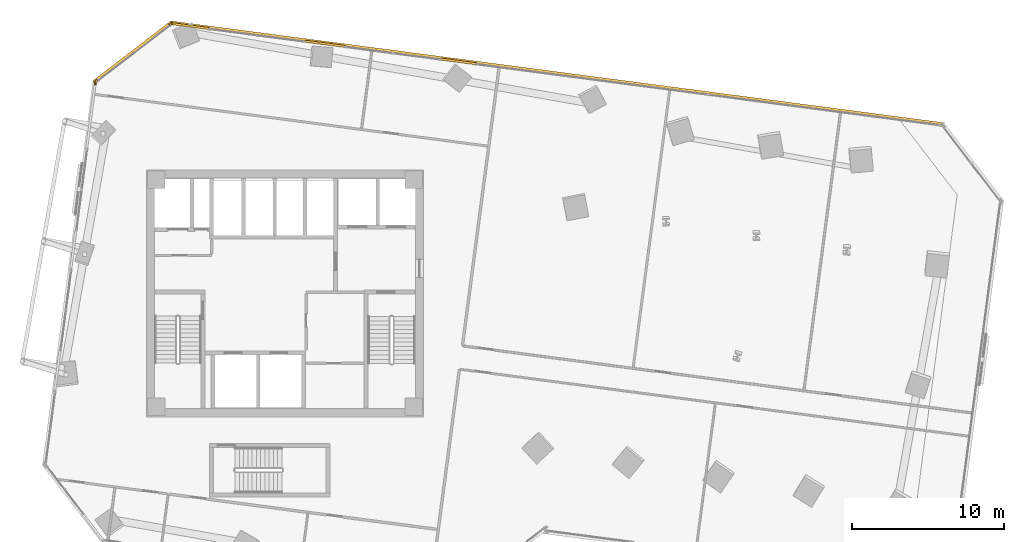
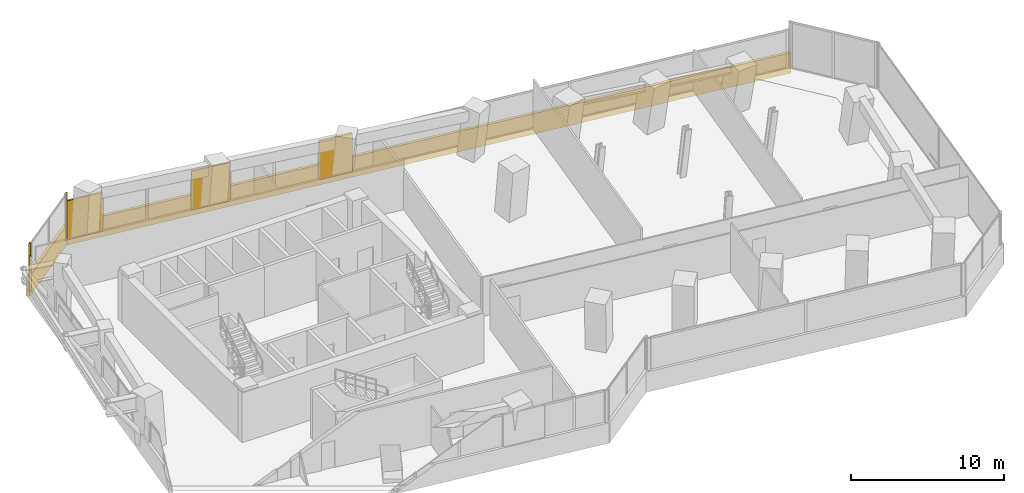
# One storey, part 24 of 24: 8 coverings.
"""IFC4 building model written with IfcOpenShell, lengths in metres."""

from ifc_helpers import new_model, si_unit, direction, frame, origin, origin_2d, place, context, subcontext, project, spatial, rectangle, extrude, source, transform, mapped, material, layer, layer_set, type_object, element, save


model = new_model("IFC4")

# Units and contexts
model_context = context("Model", 3, precision=1e-05, world=origin(), true_north=direction((0.0, 1.0)))
body_context = subcontext(model_context, "Body", "Model", "MODEL_VIEW")
ifc_project = project(units=[si_unit("LENGTHUNIT", "METRE"), si_unit("AREAUNIT", "SQUARE_METRE"), si_unit("VOLUMEUNIT", "CUBIC_METRE"), si_unit("PLANEANGLEUNIT", "RADIAN"), si_unit("MASSUNIT", "GRAM", prefix="KILO")], contexts=[model_context])

# Site, building, storey
site_placement = place(None, origin())
site = spatial("IfcSite", under=ifc_project, at=site_placement, CompositionType="ELEMENT")
building_placement = place(site_placement, origin())
building = spatial("IfcBuilding", under=site, at=building_placement, Name="Torre Montelarca", CompositionType="ELEMENT")
storey_placement = place(building_placement, frame((0.0, 0.0, 70.60009765625)))
storey = spatial("IfcBuildingStorey", under=building, at=storey_placement, Name="L15", CompositionType="ELEMENT", Elevation=70.60009765625)

# Coverings
ifc_material = material(Name="Bush-hammered warm white precast concrete C45/55", Category="concrete")
ifc_layer = layer(ifc_material, 0.139892578125, Name="Bush-hammered warm white precast concrete C45/55", Category="concrete")
ifc_layer_set = layer_set([ifc_layer], Name="Bush-hammered warm white precast concrete C45/55")
covering_type = type_object("IfcCoveringType", Name="COV-TRAY-CLAD", PredefinedType="CLADDING", material=ifc_layer_set)
shared_shape_1 = source(origin(), body_context, "Body", "SweptSolid", [
    extrude(rectangle(XDim=6.48388671875, YDim=0.219970703125, at=origin_2d()), origin(), (0.0, 0.0, 1.0), 1.6201171875),
])
covering_1_placement = place(storey_placement, frame((8.021240234375, 47.823486328125, -0.4501953125), z_axis=(0.0, 0.0, 1.0), x_axis=(-0.793350152813, -0.608765582989, 0.0)))
element("IfcCovering", 1, at=covering_1_placement, inside=storey, type_object=covering_type, Name="L15 Architectural White Spandrel Tray Band TRYBOT-09", PredefinedType="CLADDING", context=body_context, shape_type="MappedRepresentation", body=[
    mapped(shared_shape_1, transform((0.0, 0.0, 0.0), scale=1.0)),
])
shared_shape_2 = source(origin(), body_context, "Body", "SweptSolid", [
    extrude(rectangle(XDim=51.219970703125, YDim=0.219970703125, at=origin_2d()), origin(), (0.0, 0.0, 1.0), 1.6201171875),
])
covering_2_placement = place(storey_placement, frame((35.85498046875, 46.419677734375, -0.4501953125), z_axis=(0.0, 0.0, 1.0), x_axis=(-0.991444861374, 0.13052619222, 0.0)))
element("IfcCovering", 2, at=covering_2_placement, inside=storey, type_object=covering_type, Name="L15 Architectural White Spandrel Tray Band TRYBOT-08", PredefinedType="CLADDING", context=body_context, shape_type="MappedRepresentation", body=[
    mapped(shared_shape_2, transform((0.0, 0.0, 0.0), scale=1.0)),
])
shared_shape_3 = source(origin(), body_context, "Body", "SweptSolid", [
    extrude(rectangle(XDim=0.199951171875, YDim=0.139892578125, at=origin_2d()), origin(), (0.0, 0.0, 1.0), 3.719970703125),
])
for number, where, z_axis, x_axis, name in (
    (3, (10.490478515625, 49.642578125, 0.0), (0.0, 0.0, 1.0), (-0.793343777791, -0.608773890899, 0.0), "L15 Architectural Column Pier Cladding E09-1"),
    (4, (5.625244140625, 45.9091796875, 0.0), (0.0, 0.0, 1.0), (-0.793343777791, -0.608773890899, 0.0), "L15 Architectural Column Pier Cladding E09-2"),
):
    element("IfcCovering", number, at=place(storey_placement, frame(where, z_axis=z_axis, x_axis=x_axis)), inside=storey, type_object=covering_type, Name=name, PredefinedType="CLADDING", context=body_context, shape_type="MappedRepresentation", body=[
        mapped(shared_shape_3, transform((0.0, 0.0, 0.0), scale=1.0)),
    ])
shared_shape_4 = source(origin(), body_context, "Body", "SweptSolid", [
    extrude(rectangle(XDim=0.199951171875, YDim=0.139892578125, at=origin_2d()), origin(), (0.0, 0.0, 1.0), 2.77490234375),
])
covering_3_placement = place(storey_placement, frame((5.552734375, 45.783447265625, 0.0), z_axis=(0.0, 0.0, 1.0), x_axis=(-0.130527922618, -0.991444633561, 0.0)))
element("IfcCovering", 5, at=covering_3_placement, inside=storey, type_object=covering_type, Name="L15 Architectural Column Pier Cladding E10-1", PredefinedType="CLADDING", context=body_context, shape_type="MappedRepresentation", body=[
    mapped(shared_shape_4, transform((0.0, 0.0, 0.0), scale=1.0)),
])
shared_shape_5 = source(origin(), body_context, "Body", "SweptSolid", [
    extrude(rectangle(XDim=2.360107421875, YDim=0.139892578125, at=origin_2d()), origin(), (0.0, 0.0, 1.0), 3.074951171875),
])
covering_4_placement = place(storey_placement, frame((29.382080078125, 47.211181640625, 0.0), z_axis=(0.0, 0.0, 1.0), x_axis=(-0.991444861374, 0.13052619222, 0.0)))
element("IfcCovering", 6, at=covering_4_placement, inside=storey, type_object=covering_type, Name="L15 Architectural Column Pier Cladding E08-2", PredefinedType="CLADDING", context=body_context, shape_type="MappedRepresentation", body=[
    mapped(shared_shape_5, transform((0.0, 0.0, 0.0), scale=1.0)),
])
shared_shape_6 = source(origin(), body_context, "Body", "SweptSolid", [
    extrude(rectangle(XDim=2.69287109375, YDim=0.139892578125, at=origin_2d()), origin(), (0.0, 0.0, 1.0), 3.074951171875),
])
covering_5_placement = place(storey_placement, frame((20.626220703125, 48.364013671875, 0.0), z_axis=(0.0, 0.0, 1.0), x_axis=(-0.991444861374, 0.13052619222, 0.0)))
element("IfcCovering", 7, at=covering_5_placement, inside=storey, type_object=covering_type, Name="L15 Architectural Column Pier Cladding E08-3", PredefinedType="CLADDING", context=body_context, shape_type="MappedRepresentation", body=[
    mapped(shared_shape_6, transform((0.0, 0.0, 0.0), scale=1.0)),
])
shared_shape_7 = source(origin(), body_context, "Body", "SweptSolid", [
    extrude(rectangle(XDim=2.536865234375, YDim=0.139892578125, at=origin_2d()), origin(), (0.0, 0.0, 1.0), 3.074951171875),
])
covering_6_placement = place(storey_placement, frame((11.7890625, 49.527587890625, 0.0), z_axis=(0.0, 0.0, 1.0), x_axis=(-0.991444861374, 0.13052619222, 0.0)))
element("IfcCovering", 8, at=covering_6_placement, inside=storey, type_object=covering_type, Name="L15 Architectural Column Pier Cladding E08-4", PredefinedType="CLADDING", context=body_context, shape_type="MappedRepresentation", body=[
    mapped(shared_shape_7, transform((0.0, 0.0, 0.0), scale=1.0)),
])

save(model, "model.ifc")
